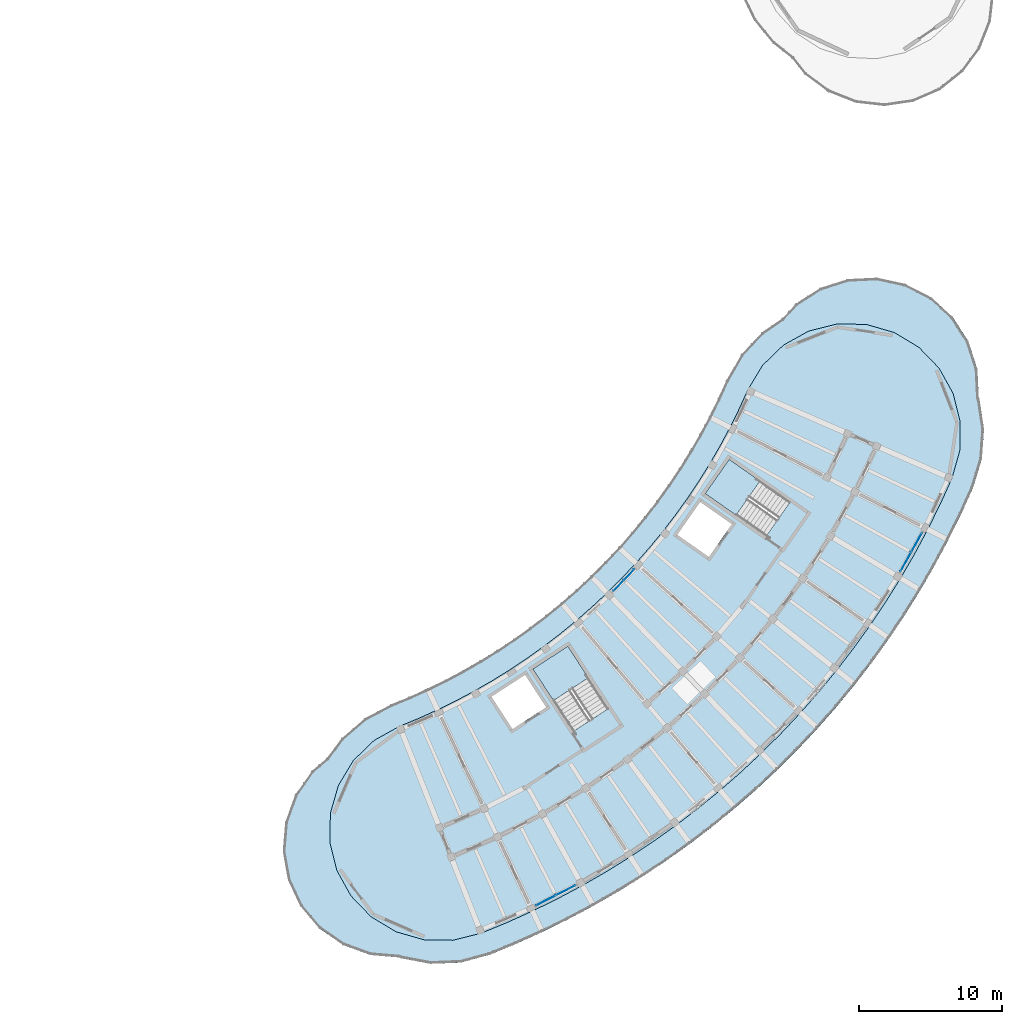
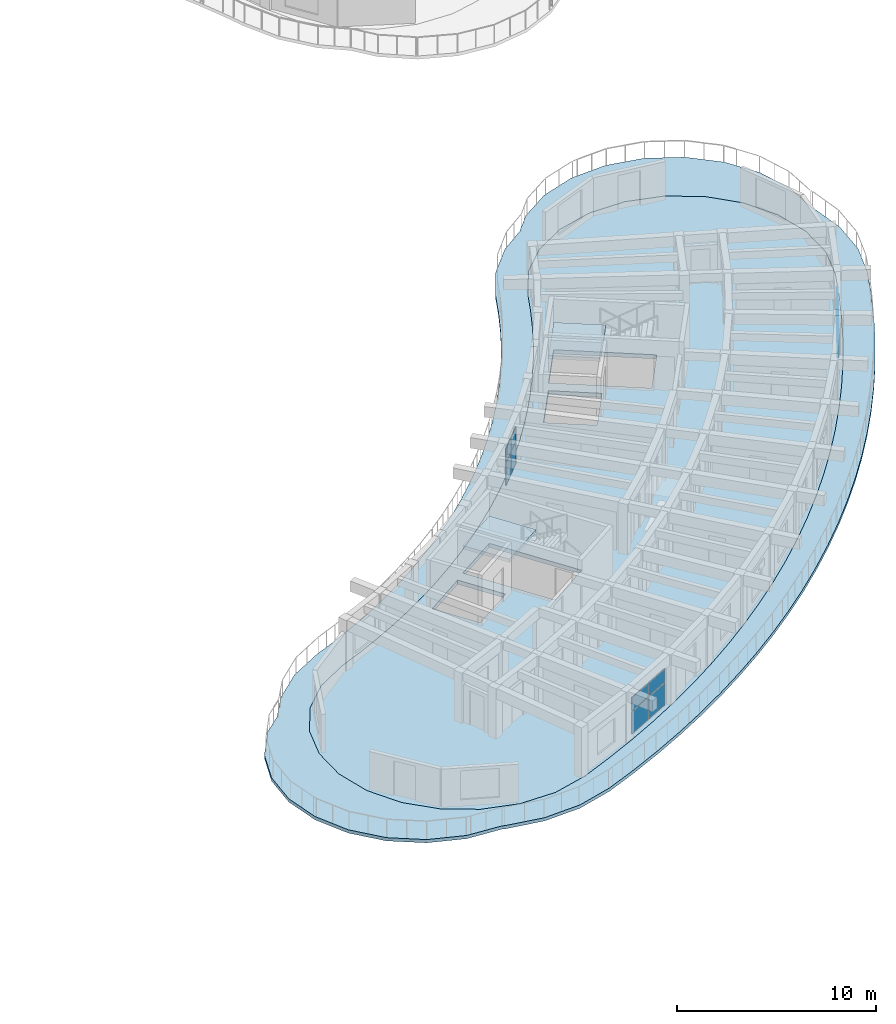
# One storey, part 36 of 83: 12 plates, 4 slabs, 5 elements without a shape of their own.
"""IFC4 building model written with IfcOpenShell, lengths in metres."""

from ifc_helpers import new_model, si_unit, direction, frame, origin, origin_2d, place, context, subcontext, project, spatial, polyline, rectangle, outline, extrude, material, layer, layer_set, type_object, element, aggregate, save


model = new_model("IFC4")

# Units and contexts
model_context = context("Model", 3, precision=1e-05, world=origin(), true_north=direction((0.0, 1.0)))
body_context = subcontext(model_context, "Body", "Model", "MODEL_VIEW")
ifc_project = project(units=[si_unit("LENGTHUNIT", "METRE"), si_unit("AREAUNIT", "SQUARE_METRE"), si_unit("VOLUMEUNIT", "CUBIC_METRE"), si_unit("PLANEANGLEUNIT", "RADIAN"), si_unit("MASSUNIT", "GRAM", prefix="KILO")], contexts=[model_context])

# Site, building, storey
site_placement = place(None, origin())
site = spatial("IfcSite", under=ifc_project, at=site_placement, CompositionType="ELEMENT")
building_placement = place(site_placement, origin())
building = spatial("IfcBuilding", under=site, at=building_placement, Name="Tanwirah Colonnade Gardens", CompositionType="ELEMENT")
storey_placement = place(building_placement, frame((0.0, 0.0, 25.639892578125)))
storey = spatial("IfcBuildingStorey", under=building, at=storey_placement, Name="L07", CompositionType="ELEMENT", Elevation=25.639892578125)

# Curtain wall, plates
ifc_material_1 = material(Name="Bronze-anodised aluminium and solar-control low-E glass", Category="aluminium")
curtain_wall_type_1 = type_object("IfcCurtainWallType", Name="CW-LOB", PredefinedType="NOTDEFINED", material=ifc_material_1)
curtain_wall_1_placement = place(storey_placement, origin())
curtain_wall_1 = element("IfcCurtainWall", 1, at=curtain_wall_1_placement, inside=storey, type_object=curtain_wall_type_1, Name="Curtain Wall CW-D-L07-OUT-03", PredefinedType="NOTDEFINED")
ifc_material_2 = material(Name="Insulated bronze aluminium spandrel panel", Category="aluminium")
ifc_layer_1 = layer(ifc_material_2, 0.035888671875)
ifc_layer_set_1 = layer_set([ifc_layer_1], Name="Insulated bronze aluminium spandrel panel")
plate_type = type_object("IfcPlateType", Name="CWP-SPN36", PredefinedType="CURTAIN_PANEL", material=ifc_layer_set_1)
plate_1_placement = place(storey_placement, frame((147.44384765625, 11.17333984375, 0.06494140625), z_axis=(0.0, 0.0, 1.0), x_axis=(0.890014111869, 0.455932978269, 0.0)))
plate_1 = element("IfcPlate", 2, at=plate_1_placement, type_object=plate_type, Name="CW-LOB panel 1.1", PredefinedType="CURTAIN_PANEL", context=body_context, shape_type="SweptSolid", body=[
    extrude(rectangle(XDim=1.490966796875, YDim=0.035888671875, at=origin_2d()), origin(), (0.0, 0.0, 1.0), 1.362548828125),
])
plate_2_placement = place(storey_placement, frame((147.44384765625, 11.17333984375, 1.49267578125), z_axis=(0.0, 0.0, 1.0), x_axis=(0.890014111869, 0.455932978269, 0.0)))
plate_2 = element("IfcPlate", 3, at=plate_2_placement, type_object=plate_type, Name="CW-LOB panel 1.2", PredefinedType="CURTAIN_PANEL", context=body_context, shape_type="SweptSolid", body=[
    extrude(rectangle(XDim=1.490966796875, YDim=0.035888671875, at=origin_2d()), origin(), (0.0, 0.0, 1.0), 0.79736328125),
])
plate_3_placement = place(storey_placement, frame((148.82861328125, 11.8828125, 0.06494140625), z_axis=(0.0, 0.0, 1.0), x_axis=(0.890014111869, 0.455932978269, 0.0)))
plate_3 = element("IfcPlate", 4, at=plate_3_placement, type_object=plate_type, Name="CW-LOB panel 2.1", PredefinedType="CURTAIN_PANEL", context=body_context, shape_type="SweptSolid", body=[
    extrude(rectangle(XDim=1.490966796875, YDim=0.035888671875, at=origin_2d()), origin(), (0.0, 0.0, 1.0), 1.362548828125),
])
plate_4_placement = place(storey_placement, frame((148.82861328125, 11.8828125, 1.49267578125), z_axis=(0.0, 0.0, 1.0), x_axis=(0.890014111869, 0.455932978269, 0.0)))
plate_4 = element("IfcPlate", 5, at=plate_4_placement, type_object=plate_type, Name="CW-LOB panel 2.2", PredefinedType="CURTAIN_PANEL", context=body_context, shape_type="SweptSolid", body=[
    extrude(rectangle(XDim=1.490966796875, YDim=0.035888671875, at=origin_2d()), origin(), (0.0, 0.0, 1.0), 0.79736328125),
])
aggregate(curtain_wall_1, [plate_1, plate_2, plate_3, plate_4])

curtain_wall_type_2 = type_object("IfcCurtainWallType", Name="CW-GDN", PredefinedType="NOTDEFINED", material=ifc_material_1)
curtain_wall_2_placement = place(storey_placement, origin())
curtain_wall_2 = element("IfcCurtainWall", 6, at=curtain_wall_2_placement, inside=storey, type_object=curtain_wall_type_2, Name="Curtain Wall CW-D-L07-IN-08", PredefinedType="NOTDEFINED")
plate_5_placement = place(storey_placement, frame((152.5205078125, 33.188232421875, 0.06494140625), z_axis=(0.0, 0.0, 1.0), x_axis=(0.696223466127, 0.717825107678, 0.0)))
plate_5 = element("IfcPlate", 7, at=plate_5_placement, type_object=plate_type, Name="CW-GDN panel 1.1", PredefinedType="CURTAIN_PANEL", context=body_context, shape_type="SweptSolid", body=[
    extrude(rectangle(XDim=0.996826171875, YDim=0.035888671875, at=origin_2d()), origin(), (0.0, 0.0, 1.0), 1.362548828125),
])
plate_6_placement = place(storey_placement, frame((152.5205078125, 33.188232421875, 1.49267578125), z_axis=(0.0, 0.0, 1.0), x_axis=(0.696223466127, 0.717825107678, 0.0)))
plate_6 = element("IfcPlate", 8, at=plate_6_placement, type_object=plate_type, Name="CW-GDN panel 1.2", PredefinedType="CURTAIN_PANEL", context=body_context, shape_type="SweptSolid", body=[
    extrude(rectangle(XDim=0.996826171875, YDim=0.035888671875, at=origin_2d()), origin(), (0.0, 0.0, 1.0), 0.79736328125),
])
plate_7_placement = place(storey_placement, frame((153.259765625, 33.950439453125, 0.06494140625), z_axis=(0.0, 0.0, 1.0), x_axis=(0.696223466127, 0.717825107678, 0.0)))
plate_7 = element("IfcPlate", 9, at=plate_7_placement, type_object=plate_type, Name="CW-GDN panel 2.1", PredefinedType="CURTAIN_PANEL", context=body_context, shape_type="SweptSolid", body=[
    extrude(rectangle(XDim=0.996826171875, YDim=0.035888671875, at=origin_2d()), origin(), (0.0, 0.0, 1.0), 1.362548828125),
])
plate_8_placement = place(storey_placement, frame((153.259765625, 33.950439453125, 1.49267578125), z_axis=(0.0, 0.0, 1.0), x_axis=(0.696223466127, 0.717825107678, 0.0)))
plate_8 = element("IfcPlate", 10, at=plate_8_placement, type_object=plate_type, Name="CW-GDN panel 2.2", PredefinedType="CURTAIN_PANEL", context=body_context, shape_type="SweptSolid", body=[
    extrude(rectangle(XDim=0.996826171875, YDim=0.035888671875, at=origin_2d()), origin(), (0.0, 0.0, 1.0), 0.79736328125),
])
aggregate(curtain_wall_2, [plate_5, plate_6, plate_7, plate_8])

curtain_wall_3_placement = place(storey_placement, origin())
curtain_wall_3 = element("IfcCurtainWall", 11, at=curtain_wall_3_placement, inside=storey, type_object=curtain_wall_type_1, Name="Curtain Wall CW-D-L07-OUT-12", PredefinedType="NOTDEFINED")
plate_9_placement = place(storey_placement, frame((172.614013671875, 34.85205078125, 0.06494140625), z_axis=(0.0, 0.0, 1.0), x_axis=(0.486715095364, 0.873560768318, 0.0)))
plate_9 = element("IfcPlate", 12, at=plate_9_placement, type_object=plate_type, Name="CW-LOB panel 1.1", PredefinedType="CURTAIN_PANEL", context=body_context, shape_type="SweptSolid", body=[
    extrude(rectangle(XDim=1.490966796875, YDim=0.035888671875, at=origin_2d()), origin(), (0.0, 0.0, 1.0), 1.362548828125),
])
plate_10_placement = place(storey_placement, frame((172.614013671875, 34.85205078125, 1.49267578125), z_axis=(0.0, 0.0, 1.0), x_axis=(0.486715095364, 0.873560768318, 0.0)))
plate_10 = element("IfcPlate", 13, at=plate_10_placement, type_object=plate_type, Name="CW-LOB panel 1.2", PredefinedType="CURTAIN_PANEL", context=body_context, shape_type="SweptSolid", body=[
    extrude(rectangle(XDim=1.490966796875, YDim=0.035888671875, at=origin_2d()), origin(), (0.0, 0.0, 1.0), 0.79736328125),
])
plate_11_placement = place(storey_placement, frame((173.371337890625, 36.211181640625, 0.06494140625), z_axis=(0.0, 0.0, 1.0), x_axis=(0.486715095364, 0.873560768318, 0.0)))
plate_11 = element("IfcPlate", 14, at=plate_11_placement, type_object=plate_type, Name="CW-LOB panel 2.1", PredefinedType="CURTAIN_PANEL", context=body_context, shape_type="SweptSolid", body=[
    extrude(rectangle(XDim=1.490966796875, YDim=0.035888671875, at=origin_2d()), origin(), (0.0, 0.0, 1.0), 1.362548828125),
])
plate_12_placement = place(storey_placement, frame((173.371337890625, 36.211181640625, 1.49267578125), z_axis=(0.0, 0.0, 1.0), x_axis=(0.486715095364, 0.873560768318, 0.0)))
plate_12 = element("IfcPlate", 15, at=plate_12_placement, type_object=plate_type, Name="CW-LOB panel 2.2", PredefinedType="CURTAIN_PANEL", context=body_context, shape_type="SweptSolid", body=[
    extrude(rectangle(XDim=1.490966796875, YDim=0.035888671875, at=origin_2d()), origin(), (0.0, 0.0, 1.0), 0.79736328125),
])
aggregate(curtain_wall_3, [plate_9, plate_10, plate_11, plate_12])

# Slab
ifc_material_3 = material(Name="White architectural precast concrete C40/50", Category="concrete")
ifc_layer_2 = layer(ifc_material_3, 0.199951171875)
ifc_layer_set_2 = layer_set([ifc_layer_2], Name="White architectural precast concrete C40/50")
slab_type_1 = type_object("IfcSlabType", Name="SL-BAL-200", PredefinedType="FLOOR", material=ifc_layer_set_2)
slab_1_placement = place(storey_placement, frame((0.0, 0.0, -0.199951171875)))
element("IfcSlab", 16, at=slab_1_placement, inside=storey, type_object=slab_type_1, Name="Block D L07 Continuous White Balcony Ribbon", PredefinedType="FLOOR", context=body_context, shape_type="SweptSolid", body=[
    extrude(outline(polyline([(132.138916015625, 21.116943359375), (131.079345703125, 20.219970703125), (129.918701171875, 18.546875), (129.23046875, 16.63037109375), (129.06201171875, 14.60107421875), (129.42431640625, 12.597412109375), (130.292724609375, 10.755859375), (131.6083984375, 9.20166015625), (133.281494140625, 8.041015625), (135.197998046875, 7.35302734375), (137.167724609375, 7.189453125), (137.298583984375, 7.132568359375), (139.3671875, 6.74365234375), (141.470703125, 6.824951171875), (143.503173828125, 7.372314453125), (145.3603515625, 8.13916015625), (147.19140625, 8.966552734375), (148.994384765625, 9.85302734375), (150.767333984375, 10.79833984375), (152.508544921875, 11.801025390625), (154.2158203125, 12.860107421875), (155.8876953125, 13.974609375), (157.522216796875, 15.143310546875), (159.117431640625, 16.364501953125), (160.672119140625, 17.637451171875), (162.18408203125, 18.960693359375), (163.652099609375, 20.33251953125), (165.07421875, 21.751708984375), (166.449462890625, 23.216796875), (167.77587890625, 24.725830078125), (169.05224609375, 26.277587890625), (170.277099609375, 27.870361328125), (171.44921875, 29.502197265625), (172.567138671875, 31.171630859375), (173.630126953125, 32.876708984375), (174.636474609375, 34.61572265625), (175.585693359375, 36.386474609375), (176.476318359375, 38.1875), (177.307373046875, 40.016845703125), (177.925537109375, 42.029052734375), (178.080078125, 44.128173828125), (177.763671875, 46.209228515625), (177.71142578125, 46.342041015625), (177.61669921875, 48.31640625), (176.995849609375, 50.255615234375), (175.894287109375, 51.968017578125), (174.38720703125, 53.337158203125), (172.576904296875, 54.26953125), (170.587158203125, 54.70166015625), (168.55322265625, 54.603759765625), (166.614013671875, 53.983154296875), (164.9013671875, 52.881591796875), (163.968017578125, 51.853759765625), (162.546630859375, 50.88232421875), (161.116943359375, 49.337646484375), (160.066650390625, 47.51318359375), (159.489990234375, 46.244140625), (158.8720703125, 44.99462890625), (158.213623046875, 43.765869140625), (157.515380859375, 42.559326171875), (156.77783203125, 41.37646484375), (156.002197265625, 40.218017578125), (155.18896484375, 39.0859375), (154.339111328125, 37.98095703125), (153.45361328125, 36.904296875), (152.533203125, 35.857177734375), (151.579345703125, 34.8408203125), (150.592529296875, 33.856201171875), (149.573974609375, 32.904296875), (148.52490234375, 31.986328125), (147.4462890625, 31.10302734375), (146.33935546875, 30.255615234375), (145.205322265625, 29.445068359375), (144.04541015625, 28.671630859375), (142.86083984375, 27.93701171875), (141.65283203125, 27.2412109375), (140.4228515625, 26.58544921875), (139.171875, 25.97021484375), (137.9013671875, 25.396240234375), (136.613037109375, 24.8642578125), (134.753173828125, 23.87841796875), (133.159423828125, 22.50341796875), (132.138916015625, 21.116943359375)]), holes=[polyline([(135.430419921875, 22.3720703125), (137.2080078125, 23.357421875), (138.5439453125, 23.9091796875), (138.54443359375, 23.909423828125), (139.862548828125, 24.5048828125), (139.86328125, 24.505126953125), (141.1611328125, 25.1435546875), (141.16162109375, 25.143798828125), (142.43798828125, 25.82421875), (142.4384765625, 25.824462890625), (143.69189453125, 26.54638671875), (143.692626953125, 26.546630859375), (144.921630859375, 27.30908203125), (144.922119140625, 27.309326171875), (146.125732421875, 28.111572265625), (146.126220703125, 28.112060546875), (147.302734375, 28.953369140625), (147.30322265625, 28.95361328125), (148.45166015625, 29.8330078125), (148.452392578125, 29.833251953125), (149.5712890625, 30.749755859375), (149.57177734375, 30.75), (150.660400390625, 31.70263671875), (150.660888671875, 31.702880859375), (151.717529296875, 32.690673828125), (151.718017578125, 32.69091796875), (152.741943359375, 33.712646484375), (152.742431640625, 33.713134765625), (153.732177734375, 34.767578125), (153.732666015625, 34.76806640625), (154.6875, 35.8544921875), (154.68798828125, 35.85498046875), (155.606689453125, 36.97216796875), (155.607177734375, 36.97265625), (156.48876953125, 38.119140625), (156.4892578125, 38.11962890625), (157.3330078125, 39.29443359375), (157.33349609375, 39.294921875), (158.13818359375, 40.496826171875), (158.138671875, 40.497314453125), (158.90380859375, 41.724853515625), (158.904052734375, 41.725341796875), (159.628662109375, 42.97705078125), (159.62890625, 42.977783203125), (160.312255859375, 44.25244140625), (160.3125, 44.253173828125), (160.95361328125, 45.549560546875), (160.953857421875, 45.55029296875), (161.5517578125, 46.865966796875), (162.5986328125, 48.608154296875), (164.0595703125, 50.018798828125), (165.835693359375, 51.00341796875), (167.806396484375, 51.494873046875), (169.837158203125, 51.45947265625), (171.789306640625, 50.899658203125), (173.5302734375, 49.853515625), (174.94091796875, 48.392578125), (175.925537109375, 46.616455078125), (176.4169921875, 44.645751953125), (176.381591796875, 42.615234375), (175.8212890625, 40.66162109375), (175.012451171875, 38.8818359375), (174.1455078125, 37.12841796875), (173.221435546875, 35.404052734375), (172.241455078125, 33.7109375), (171.20654296875, 32.051025390625), (170.1181640625, 30.425537109375), (168.976806640625, 28.836669921875), (167.784423828125, 27.2861328125), (166.541748046875, 25.775146484375), (165.250244140625, 24.305908203125), (163.911376953125, 22.879638671875), (162.526611328125, 21.497802734375), (161.097412109375, 20.162109375), (159.625244140625, 18.8740234375), (158.11181640625, 17.634521484375), (156.55859375, 16.445556640625), (154.96728515625, 15.3076171875), (153.33935546875, 14.22265625), (151.677001953125, 13.19140625), (149.98193359375, 12.21533203125), (148.255615234375, 11.294921875), (146.500244140625, 10.431640625), (144.717529296875, 9.626220703125), (142.910400390625, 8.880126953125), (140.938720703125, 8.388427734375), (138.908203125, 8.423828125), (136.955810546875, 8.983642578125), (135.215087890625, 10.02978515625), (133.80419921875, 11.49072265625), (132.819580078125, 13.26708984375), (132.328125, 15.237548828125), (132.36376953125, 17.268310546875), (132.923583984375, 19.220458984375), (133.969482421875, 20.96142578125), (135.430419921875, 22.3720703125)])]), origin(), (0.0, 0.0, 1.0), 0.199951171875),
])

# Stair, slab
ifc_material_4 = material(Name="Precast concrete C40/50", Category="concrete")
stair_type = type_object("IfcStairType", Name="ST-RES168", PredefinedType="HALF_TURN_STAIR", material=ifc_material_4)
stair_1_placement = place(storey_placement, origin())
stair_1 = element("IfcStair", 17, at=stair_1_placement, inside=storey, type_object=stair_type, Name="L07 Block D Core 1 Exit Stair", PredefinedType="HALF_TURN_STAIR")
ifc_layer_3 = layer(ifc_material_4, 0.205078125)
ifc_layer_set_3 = layer_set([ifc_layer_3], Name="Precast concrete C40/50")
slab_type_2 = type_object("IfcSlabType", Name="SL-LND-205", PredefinedType="LANDING", material=ifc_layer_set_3)
slab_2_placement = place(storey_placement, frame((0.0, 0.0, 1.47509765625)))
slab_2 = element("IfcSlab", 18, at=slab_2_placement, type_object=slab_type_2, Name="ST-D1 landing 1", PredefinedType="LANDING", context=body_context, shape_type="SweptSolid", body=[
    extrude(outline(polyline([(150.40966796875, 26.740966796875), (148.974609375, 28.950927734375), (146.525634765625, 27.360595703125), (147.960693359375, 25.150634765625), (150.40966796875, 26.740966796875)])), origin(), (0.0, 0.0, 1.0), 0.205078125),
])
aggregate(stair_1, [slab_2])

stair_2_placement = place(storey_placement, origin())
stair_2 = element("IfcStair", 19, at=stair_2_placement, inside=storey, type_object=stair_type, Name="L07 Block D Core 2 Exit Stair", PredefinedType="HALF_TURN_STAIR")
slab_3_placement = place(storey_placement, frame((0.0, 0.0, 1.47509765625)))
slab_3 = element("IfcSlab", 20, at=slab_3_placement, type_object=slab_type_2, Name="ST-D2 landing 1", PredefinedType="LANDING", context=body_context, shape_type="SweptSolid", body=[
    extrude(outline(polyline([(162.412841796875, 40.507568359375), (160.25439453125, 42.018798828125), (158.57958984375, 39.626953125), (160.738037109375, 38.11572265625), (162.412841796875, 40.507568359375)])), origin(), (0.0, 0.0, 1.0), 0.205078125),
])
aggregate(stair_2, [slab_3])

# Slab
ifc_layer_4 = layer(ifc_material_4, 0.25)
ifc_layer_set_4 = layer_set([ifc_layer_4], Name="Precast concrete C40/50")
slab_type_3 = type_object("IfcSlabType", Name="SL-RES-250", PredefinedType="FLOOR", material=ifc_layer_set_4)
slab_4_placement = place(storey_placement, frame((0.0, 0.0, -0.25)))
element("IfcSlab", 21, at=slab_4_placement, inside=storey, type_object=slab_type_3, Name="Block D L07 Precast Composite Floor Slab", PredefinedType="FLOOR", context=body_context, shape_type="SweptSolid", body=[
    extrude(outline(polyline([(139.854248046875, 24.523193359375), (138.5361328125, 23.927490234375), (137.199462890625, 23.37548828125), (135.41845703125, 22.388427734375), (133.95361328125, 20.973876953125), (132.905029296875, 19.228515625), (132.34375, 17.271240234375), (132.30810546875, 15.2353515625), (132.80078125, 13.259521484375), (133.7880859375, 11.478759765625), (135.202392578125, 10.013916015625), (136.94775390625, 8.96533203125), (138.905029296875, 8.404052734375), (140.941162109375, 8.368408203125), (142.916748046875, 8.861083984375), (144.7255859375, 9.60791015625), (146.5087890625, 10.41357421875), (148.264892578125, 11.277099609375), (149.99169921875, 12.19775390625), (151.687255859375, 13.17431640625), (153.350341796875, 14.205810546875), (154.978515625, 15.291259765625), (156.5703125, 16.429443359375), (158.124267578125, 17.618896484375), (159.63818359375, 18.858642578125), (161.11083984375, 20.1474609375), (162.54052734375, 21.4833984375), (163.92578125, 22.86572265625), (165.26513671875, 24.29248046875), (166.556884765625, 25.76220703125), (167.800048828125, 27.273681640625), (168.992919921875, 28.82470703125), (170.134521484375, 30.414306640625), (171.223388671875, 32.0400390625), (172.258544921875, 33.70068359375), (173.23876953125, 35.394287109375), (174.163330078125, 37.119140625), (175.030517578125, 38.873291015625), (175.840087890625, 40.65478515625), (176.4013671875, 42.612060546875), (176.43701171875, 44.64794921875), (175.9443359375, 46.623779296875), (174.957275390625, 48.40478515625), (173.542724609375, 49.869384765625), (171.79736328125, 50.918212890625), (169.840087890625, 51.4794921875), (167.80419921875, 51.514892578125), (165.828369140625, 51.022216796875), (164.047607421875, 50.03515625), (162.582763671875, 48.62060546875), (161.533935546875, 46.875244140625), (160.935791015625, 45.55859375), (160.294677734375, 44.261962890625), (159.611328125, 42.987060546875), (158.88671875, 41.7353515625), (158.12158203125, 40.5078125), (157.31689453125, 39.30615234375), (156.47314453125, 38.13134765625), (155.59130859375, 36.98486328125), (154.672607421875, 35.86767578125), (153.717529296875, 34.781494140625), (152.727783203125, 33.726806640625), (151.703857421875, 32.705078125), (150.647216796875, 31.717529296875), (149.55859375, 30.76513671875), (148.439697265625, 29.848876953125), (147.291259765625, 28.969482421875), (146.114501953125, 28.12841796875), (144.9111328125, 27.326171875), (143.681884765625, 26.563720703125), (142.428466796875, 25.841796875), (141.15234375, 25.161376953125), (139.854248046875, 24.523193359375)]), holes=[polyline([(149.358642578125, 23.003662109375), (146.528076171875, 27.3623046875), (148.971923828125, 28.94921875), (151.802490234375, 24.5908203125), (149.358642578125, 23.003662109375)]), polyline([(143.63427734375, 25.42333984375), (145.982666015625, 26.9482421875), (147.453125, 24.683837890625), (145.104736328125, 23.158935546875), (143.63427734375, 25.42333984375)]), polyline([(160.252685546875, 42.016357421875), (164.509765625, 39.03564453125), (162.83837890625, 36.648681640625), (158.581298828125, 39.62939453125), (160.252685546875, 42.016357421875)]), polyline([(160.442138671875, 37.49267578125), (158.836181640625, 35.198974609375), (156.62451171875, 36.74755859375), (158.23046875, 39.041259765625), (160.442138671875, 37.49267578125)])]), origin(), (0.0, 0.0, 1.0), 0.25),
])

save(model, "model.ifc")
